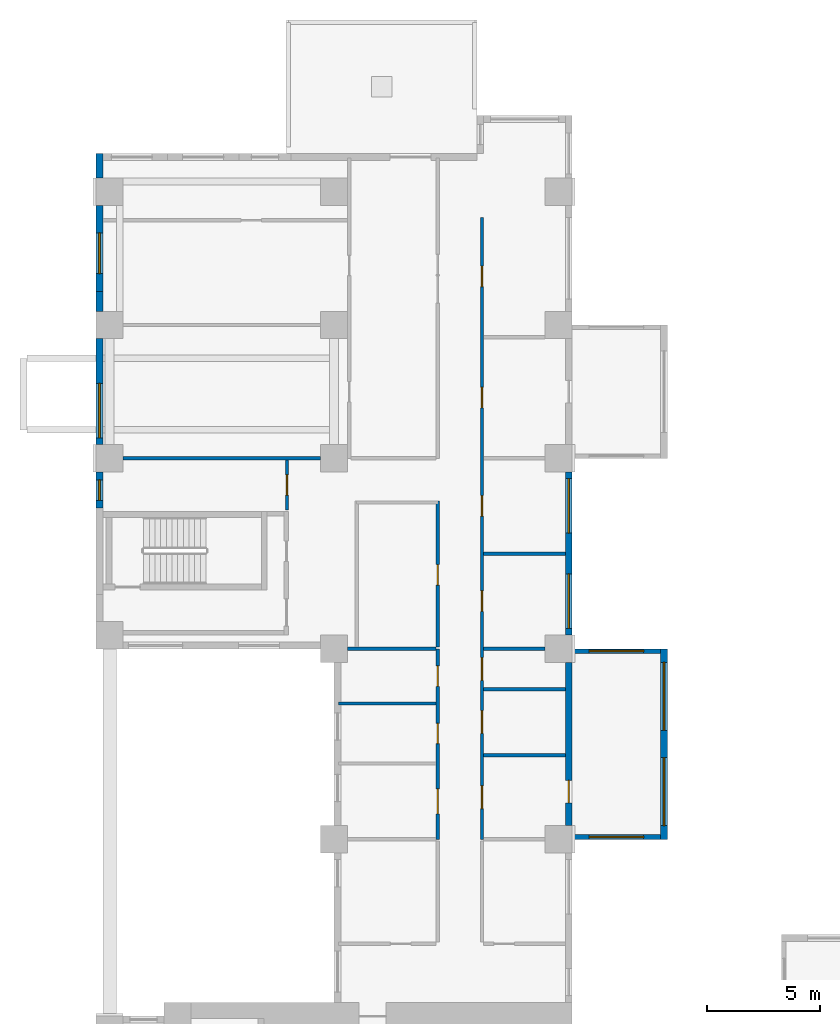
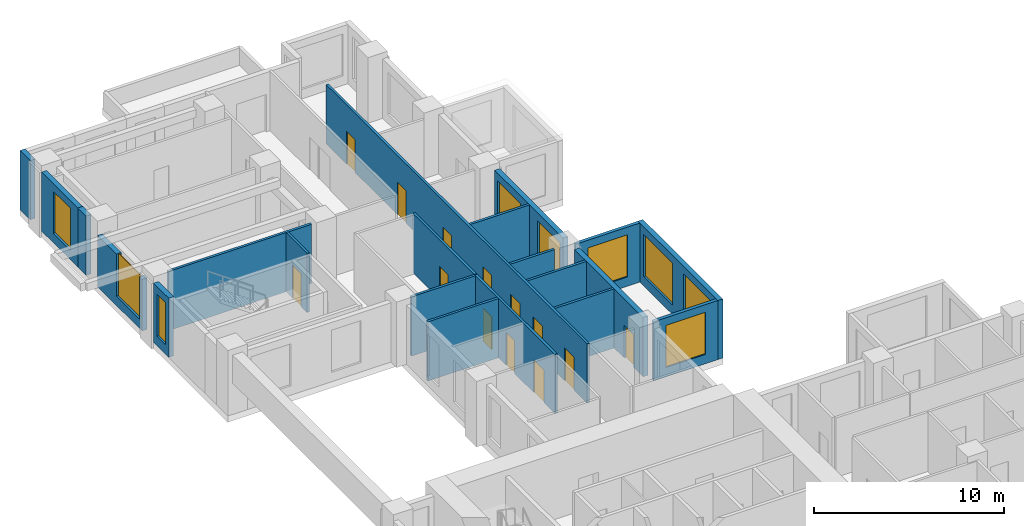
# One storey, part 7 of 14: 21 walls, 13 doors, 9 windows, 22 openings.
"""IFC4 building model written with IfcOpenShell, lengths in metres."""

from ifc_helpers import new_model, si_unit, direction, frame, frame_2d, origin, place, context, subcontext, project, spatial, rectangle, extrude, source, transform, mapped, material, layer, layer_set, type_object, element, fill, save


model = new_model("IFC4")

# Units and contexts
model_context = context("Model", 3, precision=1e-05, world=origin(), true_north=direction((0.0, 1.0)))
body_context = subcontext(model_context, "Body", "Model", "MODEL_VIEW")
ifc_project = project(units=[si_unit("LENGTHUNIT", "METRE"), si_unit("AREAUNIT", "SQUARE_METRE"), si_unit("VOLUMEUNIT", "CUBIC_METRE"), si_unit("PLANEANGLEUNIT", "RADIAN"), si_unit("MASSUNIT", "GRAM", prefix="KILO")], contexts=[model_context])

# Site, building, storey
site_placement = place(None, origin())
site = spatial("IfcSite", under=ifc_project, at=site_placement, CompositionType="ELEMENT")
building_placement = place(site_placement, origin())
building = spatial("IfcBuilding", under=site, at=building_placement, Name="Aurelian Terraces", CompositionType="ELEMENT")
storey_placement = place(building_placement, frame((0.0, 0.0, 78.3)))
storey = spatial("IfcBuildingStorey", under=building, at=storey_placement, Name="L16", CompositionType="ELEMENT", Elevation=78.3)

# Wall, openings, doors
ifc_material_1 = material(Name="Gypsum board on steel studs", Category="steel")
ifc_layer_1 = layer(ifc_material_1, 0.15)
ifc_layer_set_1 = layer_set([ifc_layer_1], Name="Fire partition 150")
wall_type_1 = type_object("IfcWallType", Name="Fire partition 150", PredefinedType="PARTITIONING", material=ifc_layer_set_1)
wall_1_placement = place(storey_placement, frame((17.025, 56.82, 0.0), z_axis=(0.0, 0.0, 1.0), x_axis=(0.0, -1.0, 0.0)))
wall_1 = element("IfcWall", 1, at=wall_1_placement, inside=storey, type_object=wall_type_1, Name="Corridor wall", PredefinedType="PARTITIONING", context=body_context, shape_type="SweptSolid", body=[
    extrude(rectangle(XDim=27.42, YDim=0.15, at=frame_2d((13.71, 0.0))), origin(), (0.0, 0.0, 1.0), 3.8),
])
shared_shape_1 = source(origin(), body_context, "Body", "SweptSolid", [
    extrude(rectangle(XDim=1.0, YDim=2.1, at=frame_2d((0.5, 1.05))), frame((0.0, 0.085, 0.0), z_axis=(0.0, -1.0, 0.0), x_axis=(1.0, 0.0, 0.0)), (0.0, 0.0, 1.0), 0.17),
])
opening_1_placement = place(wall_1_placement, frame((25.0633, 0.0, 0.0)))
opening_1 = element("IfcOpeningElement", 2, at=opening_1_placement, cuts=wall_1, Name="Opening 716040", PredefinedType="OPENING", context=body_context, shape_type="MappedRepresentation", body=[
    mapped(shared_shape_1, transform((0.0, 0.0, 0.0), scale=1.0)),
])
opening_2_placement = place(wall_1_placement, frame((21.7514, 0.0, 0.0)))
opening_2 = element("IfcOpeningElement", 3, at=opening_2_placement, cuts=wall_1, Name="Opening 716041", PredefinedType="OPENING", context=body_context, shape_type="MappedRepresentation", body=[
    mapped(shared_shape_1, transform((0.0, 0.0, 0.0), scale=1.0)),
])
opening_3_placement = place(wall_1_placement, frame((19.408, 0.0, 0.0)))
opening_3 = element("IfcOpeningElement", 4, at=opening_3_placement, cuts=wall_1, Name="Opening 716042", PredefinedType="OPENING", context=body_context, shape_type="MappedRepresentation", body=[
    mapped(shared_shape_1, transform((0.0, 0.0, 0.0), scale=1.0)),
])
shared_shape_2 = source(origin(), body_context, "Body", "SweptSolid", [
    extrude(rectangle(XDim=0.9, YDim=2.1, at=frame_2d((0.45, 1.05))), frame((0.0, 0.085, 0.0), z_axis=(0.0, -1.0, 0.0), x_axis=(1.0, 0.0, 0.0)), (0.0, 0.0, 1.0), 0.17),
])
opening_4_placement = place(wall_1_placement, frame((16.47, 0.0, 0.0)))
opening_4 = element("IfcOpeningElement", 5, at=opening_4_placement, cuts=wall_1, Name="Opening 716043", PredefinedType="OPENING", context=body_context, shape_type="MappedRepresentation", body=[
    mapped(shared_shape_2, transform((0.0, 0.0, 0.0), scale=1.0)),
])
opening_5_placement = place(wall_1_placement, frame((12.27, 0.0, 0.0)))
opening_5 = element("IfcOpeningElement", 6, at=opening_5_placement, cuts=wall_1, Name="Opening 716044", PredefinedType="OPENING", context=body_context, shape_type="MappedRepresentation", body=[
    mapped(shared_shape_2, transform((0.0, 0.0, 0.0), scale=1.0)),
])
opening_6_placement = place(wall_1_placement, frame((7.4962, 0.0, 0.0)))
opening_6 = element("IfcOpeningElement", 7, at=opening_6_placement, cuts=wall_1, Name="Opening 716045", PredefinedType="OPENING", context=body_context, shape_type="MappedRepresentation", body=[
    mapped(shared_shape_2, transform((0.0, 0.0, 0.0), scale=1.0)),
])
opening_7_placement = place(wall_1_placement, frame((2.1488, 0.0, 0.0)))
opening_7 = element("IfcOpeningElement", 8, at=opening_7_placement, cuts=wall_1, Name="Opening 716046", PredefinedType="OPENING", context=body_context, shape_type="MappedRepresentation", body=[
    mapped(shared_shape_2, transform((0.0, 0.0, 0.0), scale=1.0)),
])
ifc_material_2 = material(Name="Timber door leaf", Category="wood")
door_type_1 = type_object("IfcDoorType", Name="Room door 1000x2100 right", OperationType="SINGLE_SWING_RIGHT", PredefinedType="DOOR", material=ifc_material_2)
shared_shape_3 = source(origin(), body_context, "Body", "SweptSolid", [
    extrude(rectangle(XDim=1.0, YDim=2.1, at=frame_2d((0.5, 1.05))), frame((0.0, 0.025, 0.0), z_axis=(0.0, -1.0, 0.0), x_axis=(1.0, 0.0, 0.0)), (0.0, 0.0, 1.0), 0.05),
])
door_1_placement = place(opening_1_placement, origin())
door_1 = element("IfcDoor", 9, at=door_1_placement, inside=storey, type_object=door_type_1, Name="Door 716040", OperationType="SINGLE_SWING_RIGHT", OverallHeight=2.1, OverallWidth=1.0, PredefinedType="DOOR", context=body_context, shape_type="MappedRepresentation", body=[
    mapped(shared_shape_3, transform((0.0, 0.0, 0.0), scale=1.0)),
])
fill(opening_1, door_1)
door_type_2 = type_object("IfcDoorType", Name="Room door 1000x2100 left", OperationType="SINGLE_SWING_LEFT", PredefinedType="DOOR", material=ifc_material_2)
door_2_placement = place(opening_2_placement, origin())
door_2 = element("IfcDoor", 10, at=door_2_placement, inside=storey, type_object=door_type_2, Name="Door 716041", OperationType="SINGLE_SWING_LEFT", OverallHeight=2.1, OverallWidth=1.0, PredefinedType="DOOR", context=body_context, shape_type="MappedRepresentation", body=[
    mapped(shared_shape_3, transform((0.0, 0.0, 0.0), scale=1.0)),
])
fill(opening_2, door_2)
door_3_placement = place(opening_3_placement, origin())
door_3 = element("IfcDoor", 11, at=door_3_placement, inside=storey, type_object=door_type_1, Name="Door 716042", OperationType="SINGLE_SWING_RIGHT", OverallHeight=2.1, OverallWidth=1.0, PredefinedType="DOOR", context=body_context, shape_type="MappedRepresentation", body=[
    mapped(shared_shape_3, transform((0.0, 0.0, 0.0), scale=1.0)),
])
fill(opening_3, door_3)
door_type_3 = type_object("IfcDoorType", Name="Room door 900x2100 right", OperationType="SINGLE_SWING_RIGHT", PredefinedType="DOOR", material=ifc_material_2)
shared_shape_4 = source(origin(), body_context, "Body", "SweptSolid", [
    extrude(rectangle(XDim=0.9, YDim=2.1, at=frame_2d((0.45, 1.05))), frame((0.0, 0.025, 0.0), z_axis=(0.0, -1.0, 0.0), x_axis=(1.0, 0.0, 0.0)), (0.0, 0.0, 1.0), 0.05),
])
door_4_placement = place(opening_4_placement, origin())
door_4 = element("IfcDoor", 12, at=door_4_placement, inside=storey, type_object=door_type_3, Name="Door 716043", OperationType="SINGLE_SWING_RIGHT", OverallHeight=2.1, OverallWidth=0.9, PredefinedType="DOOR", context=body_context, shape_type="MappedRepresentation", body=[
    mapped(shared_shape_4, transform((0.0, 0.0, 0.0), scale=1.0)),
])
fill(opening_4, door_4)
door_type_4 = type_object("IfcDoorType", Name="Room door 900x2100 left", OperationType="SINGLE_SWING_LEFT", PredefinedType="DOOR", material=ifc_material_2)
door_5_placement = place(opening_5_placement, origin())
door_5 = element("IfcDoor", 13, at=door_5_placement, inside=storey, type_object=door_type_4, Name="Door 716044", OperationType="SINGLE_SWING_LEFT", OverallHeight=2.1, OverallWidth=0.9, PredefinedType="DOOR", context=body_context, shape_type="MappedRepresentation", body=[
    mapped(shared_shape_4, transform((0.0, 0.0, 0.0), scale=1.0)),
])
fill(opening_5, door_5)
door_6_placement = place(opening_6_placement, origin())
door_6 = element("IfcDoor", 14, at=door_6_placement, inside=storey, type_object=door_type_3, Name="Door 716045", OperationType="SINGLE_SWING_RIGHT", OverallHeight=2.1, OverallWidth=0.9, PredefinedType="DOOR", context=body_context, shape_type="MappedRepresentation", body=[
    mapped(shared_shape_4, transform((0.0, 0.0, 0.0), scale=1.0)),
])
fill(opening_6, door_6)
door_7_placement = place(opening_7_placement, origin())
door_7 = element("IfcDoor", 15, at=door_7_placement, inside=storey, type_object=door_type_4, Name="Door 716046", OperationType="SINGLE_SWING_LEFT", OverallHeight=2.1, OverallWidth=0.9, PredefinedType="DOOR", context=body_context, shape_type="MappedRepresentation", body=[
    mapped(shared_shape_4, transform((0.0, 0.0, 0.0), scale=1.0)),
])
fill(opening_7, door_7)

# Wall
ifc_material_3 = material(Name="Concrete fc' 40 MPa", Category="concrete")
ifc_layer_2 = layer(ifc_material_3, 0.3)
ifc_layer_set_2 = layer_set([ifc_layer_2], Name="STAIR BAY WALL 300")
wall_type_2 = type_object("IfcWallType", Name="STAIR BAY WALL 300", PredefinedType="SOLIDWALL", material=ifc_layer_set_2)
wall_2_placement = place(storey_placement, frame((0.15, 59.64, 0.0), z_axis=(0.0, 0.0, 1.0), x_axis=(0.0, -1.0, 0.0)))
element("IfcWall", 16, at=wall_2_placement, inside=storey, type_object=wall_type_2, Name="Bearing wall L16 F12.31", PredefinedType="SOLIDWALL", context=body_context, shape_type="SweptSolid", body=[
    extrude(rectangle(XDim=1.08, YDim=0.3, at=frame_2d((0.54, 0.0))), origin(), (0.0, 0.0, 1.0), 3.8),
])

# Wall, opening, door
ifc_material_4 = material(Name="Terracotta rainscreen cladding", Category="masonry")
ifc_layer_3 = layer(ifc_material_4, 0.3)
ifc_layer_set_3 = layer_set([ifc_layer_3], Name="EW-300")
wall_type_3 = type_object("IfcWallType", Name="EW-300", PredefinedType="STANDARD", material=ifc_layer_set_3)
shared_shape_5 = source(origin(), body_context, "Body", "SweptSolid", [
    extrude(rectangle(XDim=7.2, YDim=0.3, at=frame_2d((3.6, 0.0))), origin(), (0.0, 0.0, 1.0), 3.8),
])
wall_3_placement = place(storey_placement, frame((20.85, 30.0, 0.0), z_axis=(0.0, 0.0, 1.0), x_axis=(0.0, 1.0, 0.0)))
wall_3 = element("IfcWall", 17, at=wall_3_placement, inside=storey, type_object=wall_type_3, Name="External wall L16 F08.21", PredefinedType="STANDARD", context=body_context, shape_type="MappedRepresentation", body=[
    mapped(shared_shape_5, transform((0.0, 0.0, 0.0), scale=1.0)),
])
shared_shape_6 = source(origin(), body_context, "Body", "SweptSolid", [
    extrude(rectangle(XDim=1.0, YDim=2.1, at=frame_2d((0.5, 1.05))), frame((0.0, 0.16, 0.0), z_axis=(0.0, -1.0, 0.0), x_axis=(1.0, 0.0, 0.0)), (0.0, 0.0, 1.0), 0.32),
])
opening_8_placement = place(wall_3_placement, frame((1.0, 0.0, 0.0)))
opening_8 = element("IfcOpeningElement", 18, at=opening_8_placement, cuts=wall_3, Name="Opening 816006", PredefinedType="OPENING", context=body_context, shape_type="MappedRepresentation", body=[
    mapped(shared_shape_6, transform((0.0, 0.0, 0.0), scale=1.0)),
])
door_8_placement = place(opening_8_placement, origin())
door_8 = element("IfcDoor", 19, at=door_8_placement, inside=storey, type_object=door_type_2, Name="Door 816006", OperationType="SINGLE_SWING_LEFT", OverallHeight=2.1, OverallWidth=1.0, PredefinedType="DOOR", context=body_context, shape_type="MappedRepresentation", body=[
    mapped(shared_shape_3, transform((0.0, 0.0, 0.0), scale=1.0)),
])
fill(opening_8, door_8)

# Wall, openings, windows
wall_4_placement = place(storey_placement, frame((20.85, 38.4, 0.0), z_axis=(0.0, 0.0, 1.0), x_axis=(0.0, 1.0, 0.0)))
wall_4 = element("IfcWall", 20, at=wall_4_placement, inside=storey, type_object=wall_type_3, Name="External wall L16 F08.22", PredefinedType="STANDARD", context=body_context, shape_type="MappedRepresentation", body=[
    mapped(shared_shape_5, transform((0.0, 0.0, 0.0), scale=1.0)),
])
shared_shape_7 = source(origin(), body_context, "Body", "SweptSolid", [
    extrude(rectangle(XDim=2.4, YDim=2.7, at=frame_2d((1.2, 1.35))), frame((0.0, 0.16, 0.0), z_axis=(0.0, -1.0, 0.0), x_axis=(1.0, 0.0, 0.0)), (0.0, 0.0, 1.0), 0.32),
])
opening_9_placement = place(wall_4_placement, frame((0.3, 0.0, 0.6)))
opening_9 = element("IfcOpeningElement", 21, at=opening_9_placement, cuts=wall_4, Name="Opening W2427", PredefinedType="OPENING", context=body_context, shape_type="MappedRepresentation", body=[
    mapped(shared_shape_7, transform((0.0, 0.0, 0.0), scale=1.0)),
])
opening_10_placement = place(wall_4_placement, frame((4.5, 0.0, 0.6)))
opening_10 = element("IfcOpeningElement", 22, at=opening_10_placement, cuts=wall_4, Name="Opening W2427", PredefinedType="OPENING", context=body_context, shape_type="MappedRepresentation", body=[
    mapped(shared_shape_7, transform((0.0, 0.0, 0.0), scale=1.0)),
])
ifc_material_5 = material(Name="Clear glazing", Category="glass")
window_type_1 = type_object("IfcWindowType", Name="W-2400x2700", PartitioningType="SINGLE_PANEL", PredefinedType="WINDOW", material=ifc_material_5)
shared_shape_8 = source(origin(), body_context, "Body", "SweptSolid", [
    extrude(rectangle(XDim=2.4, YDim=2.7, at=frame_2d((1.2, 1.35))), frame((0.0, 0.03, 0.0), z_axis=(0.0, -1.0, 0.0), x_axis=(1.0, 0.0, 0.0)), (0.0, 0.0, 1.0), 0.06),
])
window_1_placement = place(opening_9_placement, origin())
window_1 = element("IfcWindow", 23, at=window_1_placement, inside=storey, type_object=window_type_1, Name="Window L16 L16-F08-22-0", OverallHeight=2.7, OverallWidth=2.4, PartitioningType="SINGLE_PANEL", PredefinedType="WINDOW", context=body_context, shape_type="MappedRepresentation", body=[
    mapped(shared_shape_8, transform((0.0, 0.0, 0.0), scale=1.0)),
])
fill(opening_9, window_1)
window_2_placement = place(opening_10_placement, origin())
window_2 = element("IfcWindow", 24, at=window_2_placement, inside=storey, type_object=window_type_1, Name="Window L16 L16-F08-22-1", OverallHeight=2.7, OverallWidth=2.4, PartitioningType="SINGLE_PANEL", PredefinedType="WINDOW", context=body_context, shape_type="MappedRepresentation", body=[
    mapped(shared_shape_8, transform((0.0, 0.0, 0.0), scale=1.0)),
])
fill(opening_10, window_2)

# Wall, opening, window
shared_shape_9 = source(origin(), body_context, "Body", "SweptSolid", [
    extrude(rectangle(XDim=4.68, YDim=0.3, at=frame_2d((2.34, 0.0))), origin(), (0.0, 0.0, 1.0), 3.3),
])
wall_5_placement = place(storey_placement, frame((0.15, 51.48, 0.0), z_axis=(0.0, 0.0, 1.0), x_axis=(0.0, -1.0, 0.0)))
wall_5 = element("IfcWall", 25, at=wall_5_placement, inside=storey, type_object=wall_type_3, Name="External wall L16 F12.31", PredefinedType="STANDARD", context=body_context, shape_type="MappedRepresentation", body=[
    mapped(shared_shape_9, transform((0.0, 0.0, 0.0), scale=1.0)),
])
opening_11_placement = place(wall_5_placement, frame((1.98, 0.0, 0.6)))
opening_11 = element("IfcOpeningElement", 26, at=opening_11_placement, cuts=wall_5, Name="Opening W2427", PredefinedType="OPENING", context=body_context, shape_type="MappedRepresentation", body=[
    mapped(shared_shape_7, transform((0.0, 0.0, 0.0), scale=1.0)),
])
window_3_placement = place(opening_11_placement, origin())
window_3 = element("IfcWindow", 27, at=window_3_placement, inside=storey, type_object=window_type_1, Name="Window L16 L16-F12-31-2", OverallHeight=2.7, OverallWidth=2.4, PartitioningType="SINGLE_PANEL", PredefinedType="WINDOW", context=body_context, shape_type="MappedRepresentation", body=[
    mapped(shared_shape_8, transform((0.0, 0.0, 0.0), scale=1.0)),
])
fill(opening_11, window_3)

shared_shape_10 = source(origin(), body_context, "Body", "SweptSolid", [
    extrude(rectangle(XDim=1.6, YDim=0.3, at=frame_2d((0.8, 0.0))), origin(), (0.0, 0.0, 1.0), 3.8),
])
wall_6_placement = place(storey_placement, frame((0.15, 45.6, 0.0), z_axis=(0.0, 0.0, 1.0), x_axis=(0.0, -1.0, 0.0)))
wall_6 = element("IfcWall", 28, at=wall_6_placement, inside=storey, type_object=wall_type_3, Name="External wall L16 F12.31", PredefinedType="STANDARD", context=body_context, shape_type="MappedRepresentation", body=[
    mapped(shared_shape_10, transform((0.0, 0.0, 0.0), scale=1.0)),
])
shared_shape_11 = source(origin(), body_context, "Body", "SweptSolid", [
    extrude(rectangle(XDim=0.9, YDim=2.7, at=frame_2d((0.45, 1.35))), frame((0.0, 0.16, 0.0), z_axis=(0.0, -1.0, 0.0), x_axis=(1.0, 0.0, 0.0)), (0.0, 0.0, 1.0), 0.32),
])
opening_12_placement = place(wall_6_placement, frame((0.35, 0.0, 0.6)))
opening_12 = element("IfcOpeningElement", 29, at=opening_12_placement, cuts=wall_6, Name="Opening W0927", PredefinedType="OPENING", context=body_context, shape_type="MappedRepresentation", body=[
    mapped(shared_shape_11, transform((0.0, 0.0, 0.0), scale=1.0)),
])
window_type_2 = type_object("IfcWindowType", Name="W-900x2700", PartitioningType="SINGLE_PANEL", PredefinedType="WINDOW", material=ifc_material_5)
shared_shape_12 = source(origin(), body_context, "Body", "SweptSolid", [
    extrude(rectangle(XDim=0.9, YDim=2.7, at=frame_2d((0.45, 1.35))), frame((0.0, 0.03, 0.0), z_axis=(0.0, -1.0, 0.0), x_axis=(1.0, 0.0, 0.0)), (0.0, 0.0, 1.0), 0.06),
])
window_4_placement = place(opening_12_placement, origin())
window_4 = element("IfcWindow", 30, at=window_4_placement, inside=storey, type_object=window_type_2, Name="Window L16 L16-F12-31-P4", OverallHeight=2.7, OverallWidth=0.9, PartitioningType="SINGLE_PANEL", PredefinedType="WINDOW", context=body_context, shape_type="MappedRepresentation", body=[
    mapped(shared_shape_12, transform((0.0, 0.0, 0.0), scale=1.0)),
])
fill(opening_12, window_4)

shared_shape_13 = source(origin(), body_context, "Body", "SweptSolid", [
    extrude(rectangle(XDim=3.8, YDim=0.3, at=frame_2d((1.9, 0.0))), origin(), (0.0, 0.0, 1.0), 3.8),
])
wall_7_placement = place(storey_placement, frame((0.15, 57.36, 0.0), z_axis=(0.0, 0.0, 1.0), x_axis=(0.0, -1.0, 0.0)))
wall_7 = element("IfcWall", 31, at=wall_7_placement, inside=storey, type_object=wall_type_2, Name="Bearing wall L16 F12.31", PredefinedType="SOLIDWALL", context=body_context, shape_type="MappedRepresentation", body=[
    mapped(shared_shape_13, transform((0.0, 0.0, 0.0), scale=1.0)),
])
shared_shape_14 = source(origin(), body_context, "Body", "SweptSolid", [
    extrude(rectangle(XDim=1.8, YDim=2.7, at=frame_2d((0.9, 1.35))), frame((0.0, 0.16, 0.0), z_axis=(0.0, -1.0, 0.0), x_axis=(1.0, 0.0, 0.0)), (0.0, 0.0, 1.0), 0.32),
])
opening_13_placement = place(wall_7_placement, frame((1.2175, 0.0, 0.6)))
opening_13 = element("IfcOpeningElement", 32, at=opening_13_placement, cuts=wall_7, Name="Opening W1827", PredefinedType="OPENING", context=body_context, shape_type="MappedRepresentation", body=[
    mapped(shared_shape_14, transform((0.0, 0.0, 0.0), scale=1.0)),
])
window_type_3 = type_object("IfcWindowType", Name="W-1800x2700", PartitioningType="SINGLE_PANEL", PredefinedType="WINDOW", material=ifc_material_5)
shared_shape_15 = source(origin(), body_context, "Body", "SweptSolid", [
    extrude(rectangle(XDim=1.8, YDim=2.7, at=frame_2d((0.9, 1.35))), frame((0.0, 0.03, 0.0), z_axis=(0.0, -1.0, 0.0), x_axis=(1.0, 0.0, 0.0)), (0.0, 0.0, 1.0), 0.06),
])
window_5_placement = place(opening_13_placement, origin())
window_5 = element("IfcWindow", 33, at=window_5_placement, inside=storey, type_object=window_type_3, Name="Window L16 L16-F12-31-P1", OverallHeight=2.7, OverallWidth=1.8, PartitioningType="SINGLE_PANEL", PredefinedType="WINDOW", context=body_context, shape_type="MappedRepresentation", body=[
    mapped(shared_shape_15, transform((0.0, 0.0, 0.0), scale=1.0)),
])
fill(opening_13, window_5)

ifc_layer_4 = layer(ifc_material_3, 0.2)
ifc_layer_set_4 = layer_set([ifc_layer_4], Name="BOX BEARING WALL 200")
wall_type_4 = type_object("IfcWallType", Name="BOX BEARING WALL 200", PredefinedType="SOLIDWALL", material=ifc_layer_set_4)
shared_shape_16 = source(origin(), body_context, "Body", "SweptSolid", [
    extrude(rectangle(XDim=3.9, YDim=0.2, at=frame_2d((1.95, 0.0))), origin(), (0.0, 0.0, 1.0), 3.79),
])
wall_8_placement = place(storey_placement, frame((21.0, 29.5, 0.0), z_axis=(0.0, 0.0, 1.0), x_axis=(1.0, 0.0, 0.0)))
wall_8 = element("IfcWall", 34, at=wall_8_placement, inside=storey, type_object=wall_type_4, Name="Box return L16 J21.1", PredefinedType="SOLIDWALL", context=body_context, shape_type="MappedRepresentation", body=[
    mapped(shared_shape_16, transform((0.0, 0.0, 0.0), scale=1.0)),
])
shared_shape_17 = source(origin(), body_context, "Body", "SweptSolid", [
    extrude(rectangle(XDim=2.4, YDim=2.7, at=frame_2d((1.2, 1.35))), frame((0.0, 0.11, 0.0), z_axis=(0.0, -1.0, 0.0), x_axis=(1.0, 0.0, 0.0)), (0.0, 0.0, 1.0), 0.22),
])
opening_14_placement = place(wall_8_placement, frame((0.75, 0.0, 0.6)))
opening_14 = element("IfcOpeningElement", 35, at=opening_14_placement, cuts=wall_8, Name="Opening W2427", PredefinedType="OPENING", context=body_context, shape_type="MappedRepresentation", body=[
    mapped(shared_shape_17, transform((0.0, 0.0, 0.0), scale=1.0)),
])
window_6_placement = place(opening_14_placement, origin())
window_6 = element("IfcWindow", 36, at=window_6_placement, inside=storey, type_object=window_type_1, Name="Window L16 J21-S1", OverallHeight=2.7, OverallWidth=2.4, PartitioningType="SINGLE_PANEL", PredefinedType="WINDOW", context=body_context, shape_type="MappedRepresentation", body=[
    mapped(shared_shape_8, transform((0.0, 0.0, 0.0), scale=1.0)),
])
fill(opening_14, window_6)

wall_9_placement = place(storey_placement, frame((21.0, 37.7, 0.0), z_axis=(0.0, 0.0, 1.0), x_axis=(1.0, 0.0, 0.0)))
wall_9 = element("IfcWall", 37, at=wall_9_placement, inside=storey, type_object=wall_type_4, Name="Box return L16 J21.2", PredefinedType="SOLIDWALL", context=body_context, shape_type="MappedRepresentation", body=[
    mapped(shared_shape_16, transform((0.0, 0.0, 0.0), scale=1.0)),
])
opening_15_placement = place(wall_9_placement, frame((0.75, 0.0, 0.6)))
opening_15 = element("IfcOpeningElement", 38, at=opening_15_placement, cuts=wall_9, Name="Opening W2427", PredefinedType="OPENING", context=body_context, shape_type="MappedRepresentation", body=[
    mapped(shared_shape_17, transform((0.0, 0.0, 0.0), scale=1.0)),
])
window_7_placement = place(opening_15_placement, origin())
window_7 = element("IfcWindow", 39, at=window_7_placement, inside=storey, type_object=window_type_1, Name="Window L16 J21-S2", OverallHeight=2.7, OverallWidth=2.4, PartitioningType="SINGLE_PANEL", PredefinedType="WINDOW", context=body_context, shape_type="MappedRepresentation", body=[
    mapped(shared_shape_8, transform((0.0, 0.0, 0.0), scale=1.0)),
])
fill(opening_15, window_7)

# Wall
shared_shape_18 = source(origin(), body_context, "Body", "SweptSolid", [
    extrude(rectangle(XDim=0.88, YDim=0.3, at=frame_2d((0.44, 0.0))), origin(), (0.0, 0.0, 1.0), 3.8),
])
wall_10_placement = place(storey_placement, frame((0.15, 53.56, 0.0), z_axis=(0.0, 0.0, 1.0), x_axis=(0.0, -1.0, 0.0)))
element("IfcWall", 40, at=wall_10_placement, inside=storey, type_object=wall_type_3, Name="External wall L16 F12.31", PredefinedType="STANDARD", context=body_context, shape_type="MappedRepresentation", body=[
    mapped(shared_shape_18, transform((0.0, 0.0, 0.0), scale=1.0)),
])

# Wall, openings, windows
ifc_layer_5 = layer(ifc_material_3, 0.3)
ifc_layer_set_5 = layer_set([ifc_layer_5], Name="BOX BEARING WALL 300")
wall_type_5 = type_object("IfcWallType", Name="BOX BEARING WALL 300", PredefinedType="SOLIDWALL", material=ifc_layer_set_5)
shared_shape_19 = source(origin(), body_context, "Body", "SweptSolid", [
    extrude(rectangle(XDim=8.4, YDim=0.3, at=frame_2d((4.2, 0.0))), origin(), (0.0, 0.0, 1.0), 3.79),
])
wall_11_placement = place(storey_placement, frame((25.05, 29.4, 0.0), z_axis=(0.0, 0.0, 1.0), x_axis=(0.0, 1.0, 0.0)))
wall_11 = element("IfcWall", 41, at=wall_11_placement, inside=storey, type_object=wall_type_5, Name="Box wall L16 J21", PredefinedType="SOLIDWALL", context=body_context, shape_type="MappedRepresentation", body=[
    mapped(shared_shape_19, transform((0.0, 0.0, 0.0), scale=1.0)),
])
shared_shape_20 = source(origin(), body_context, "Body", "SweptSolid", [
    extrude(rectangle(XDim=3.0, YDim=2.7, at=frame_2d((1.5, 1.35))), frame((0.0, 0.16, 0.0), z_axis=(0.0, -1.0, 0.0), x_axis=(1.0, 0.0, 0.0)), (0.0, 0.0, 1.0), 0.32),
])
opening_16_placement = place(wall_11_placement, frame((0.6, 0.0, 0.6)))
opening_16 = element("IfcOpeningElement", 42, at=opening_16_placement, cuts=wall_11, Name="Opening W3027", PredefinedType="OPENING", context=body_context, shape_type="MappedRepresentation", body=[
    mapped(shared_shape_20, transform((0.0, 0.0, 0.0), scale=1.0)),
])
opening_17_placement = place(wall_11_placement, frame((4.8, 0.0, 0.6)))
opening_17 = element("IfcOpeningElement", 43, at=opening_17_placement, cuts=wall_11, Name="Opening W3027", PredefinedType="OPENING", context=body_context, shape_type="MappedRepresentation", body=[
    mapped(shared_shape_20, transform((0.0, 0.0, 0.0), scale=1.0)),
])
window_type_4 = type_object("IfcWindowType", Name="W-3000x2700", PartitioningType="SINGLE_PANEL", PredefinedType="WINDOW", material=ifc_material_5)
shared_shape_21 = source(origin(), body_context, "Body", "SweptSolid", [
    extrude(rectangle(XDim=3.0, YDim=2.7, at=frame_2d((1.5, 1.35))), frame((0.0, 0.03, 0.0), z_axis=(0.0, -1.0, 0.0), x_axis=(1.0, 0.0, 0.0)), (0.0, 0.0, 1.0), 0.06),
])
window_8_placement = place(opening_16_placement, origin())
window_8 = element("IfcWindow", 44, at=window_8_placement, inside=storey, type_object=window_type_4, Name="Window L16 J21-F1", OverallHeight=2.7, OverallWidth=3.0, PartitioningType="SINGLE_PANEL", PredefinedType="WINDOW", context=body_context, shape_type="MappedRepresentation", body=[
    mapped(shared_shape_21, transform((0.0, 0.0, 0.0), scale=1.0)),
])
fill(opening_16, window_8)
window_9_placement = place(opening_17_placement, origin())
window_9 = element("IfcWindow", 45, at=window_9_placement, inside=storey, type_object=window_type_4, Name="Window L16 J21-F2", OverallHeight=2.7, OverallWidth=3.0, PartitioningType="SINGLE_PANEL", PredefinedType="WINDOW", context=body_context, shape_type="MappedRepresentation", body=[
    mapped(shared_shape_21, transform((0.0, 0.0, 0.0), scale=1.0)),
])
fill(opening_17, window_9)

# Wall, opening, door
shared_shape_22 = source(origin(), body_context, "Body", "SweptSolid", [
    extrude(rectangle(XDim=6.45, YDim=0.15, at=frame_2d((3.225, 0.0))), origin(), (0.0, 0.0, 1.0), 3.8),
])
wall_12_placement = place(storey_placement, frame((15.075, 37.875, 0.0), z_axis=(0.0, 0.0, 1.0), x_axis=(0.0, 1.0, 0.0)))
wall_12 = element("IfcWall", 46, at=wall_12_placement, inside=storey, type_object=wall_type_1, Name="Corridor wall", PredefinedType="PARTITIONING", context=body_context, shape_type="MappedRepresentation", body=[
    mapped(shared_shape_22, transform((0.0, 0.0, 0.0), scale=1.0)),
])
opening_18_placement = place(wall_12_placement, frame((2.7375, 0.0, 0.0)))
opening_18 = element("IfcOpeningElement", 47, at=opening_18_placement, cuts=wall_12, Name="Opening 716031", PredefinedType="OPENING", context=body_context, shape_type="MappedRepresentation", body=[
    mapped(shared_shape_2, transform((0.0, 0.0, 0.0), scale=1.0)),
])
door_9_placement = place(opening_18_placement, origin())
door_9 = element("IfcDoor", 48, at=door_9_placement, inside=storey, type_object=door_type_4, Name="Door 716031", OperationType="SINGLE_SWING_LEFT", OverallHeight=2.1, OverallWidth=0.9, PredefinedType="DOOR", context=body_context, shape_type="MappedRepresentation", body=[
    mapped(shared_shape_4, transform((0.0, 0.0, 0.0), scale=1.0)),
])
fill(opening_18, door_9)

# Walls
ifc_layer_6 = layer(ifc_material_1, 0.15)
ifc_layer_set_6 = layer_set([ifc_layer_6], Name="Partition 150")
wall_type_6 = type_object("IfcWallType", Name="Partition 150", PredefinedType="PARTITIONING", material=ifc_layer_set_6)
shared_shape_23 = source(origin(), body_context, "Body", "SweptSolid", [
    extrude(rectangle(XDim=8.702, YDim=0.15, at=frame_2d((4.351, 0.0))), origin(), (0.0, 0.0, 1.0), 3.8),
])
wall_13_placement = place(storey_placement, frame((9.901, 46.2, 0.0), z_axis=(0.0, 0.0, 1.0), x_axis=(-1.0, 0.0, 0.0)))
element("IfcWall", 49, at=wall_13_placement, inside=storey, type_object=wall_type_6, Name="Partition", PredefinedType="PARTITIONING", context=body_context, shape_type="MappedRepresentation", body=[
    mapped(shared_shape_23, transform((0.0, 0.0, 0.0), scale=1.0)),
])
shared_shape_24 = source(origin(), body_context, "Body", "SweptSolid", [
    extrude(rectangle(XDim=3.6, YDim=0.15, at=frame_2d((1.8, 0.0))), origin(), (0.0, 0.0, 1.0), 3.8),
])
for number, where, z_axis, x_axis, name in (
    (50, (17.1, 33.1133, 0.0), (0.0, 0.0, 1.0), (1.0, 0.0, 0.0), "Partition"),
    (51, (17.1, 36.024, 0.0), (0.0, 0.0, 1.0), (1.0, 0.0, 0.0), "Partition"),
    (52, (17.1, 42.0, 0.0), (0.0, 0.0, 1.0), (1.0, 0.0, 0.0), "Partition"),
):
    element("IfcWall", number, at=place(storey_placement, frame(where, z_axis=z_axis, x_axis=x_axis)), inside=storey, type_object=wall_type_6, Name=name, PredefinedType="PARTITIONING", context=body_context, shape_type="MappedRepresentation", body=[
        mapped(shared_shape_24, transform((0.0, 0.0, 0.0), scale=1.0)),
    ])
shared_shape_25 = source(origin(), body_context, "Body", "SweptSolid", [
    extrude(rectangle(XDim=2.701, YDim=0.15, at=frame_2d((1.3505, 0.0))), origin(), (0.0, 0.0, 1.0), 3.8),
])
wall_14_placement = place(storey_placement, frame((19.801, 37.8, 0.0), z_axis=(0.0, 0.0, 1.0), x_axis=(-1.0, 0.0, 0.0)))
element("IfcWall", 53, at=wall_14_placement, inside=storey, type_object=wall_type_6, Name="Partition", PredefinedType="PARTITIONING", context=body_context, shape_type="MappedRepresentation", body=[
    mapped(shared_shape_25, transform((0.0, 0.0, 0.0), scale=1.0)),
])

# Wall, openings, doors
shared_shape_26 = source(origin(), body_context, "Body", "SweptSolid", [
    extrude(rectangle(XDim=8.4, YDim=0.15, at=frame_2d((4.2, 0.0))), origin(), (0.0, 0.0, 1.0), 3.8),
])
wall_15_placement = place(storey_placement, frame((15.075, 29.4, 0.0), z_axis=(0.0, 0.0, 1.0), x_axis=(0.0, 1.0, 0.0)))
wall_15 = element("IfcWall", 54, at=wall_15_placement, inside=storey, type_object=wall_type_1, Name="Corridor wall", PredefinedType="PARTITIONING", context=body_context, shape_type="MappedRepresentation", body=[
    mapped(shared_shape_26, transform((0.0, 0.0, 0.0), scale=1.0)),
])
shared_shape_27 = source(origin(), body_context, "Body", "SweptSolid", [
    extrude(rectangle(XDim=1.1, YDim=2.1, at=frame_2d((0.55, 1.05))), frame((0.0, 0.085, 0.0), z_axis=(0.0, -1.0, 0.0), x_axis=(1.0, 0.0, 0.0)), (0.0, 0.0, 1.0), 0.17),
])
opening_19_placement = place(wall_15_placement, frame((1.1203, 0.0, 0.0)))
opening_19 = element("IfcOpeningElement", 55, at=opening_19_placement, cuts=wall_15, Name="Opening 716033", PredefinedType="OPENING", context=body_context, shape_type="MappedRepresentation", body=[
    mapped(shared_shape_27, transform((0.0, 0.0, 0.0), scale=1.0)),
])
opening_20_placement = place(wall_15_placement, frame((4.2141, 0.0, 0.0)))
opening_20 = element("IfcOpeningElement", 56, at=opening_20_placement, cuts=wall_15, Name="Opening 716034", PredefinedType="OPENING", context=body_context, shape_type="MappedRepresentation", body=[
    mapped(shared_shape_2, transform((0.0, 0.0, 0.0), scale=1.0)),
])
opening_21_placement = place(wall_15_placement, frame((6.7438, 0.0, 0.0)))
opening_21 = element("IfcOpeningElement", 57, at=opening_21_placement, cuts=wall_15, Name="Opening 716035", PredefinedType="OPENING", context=body_context, shape_type="MappedRepresentation", body=[
    mapped(shared_shape_2, transform((0.0, 0.0, 0.0), scale=1.0)),
])
door_10_placement = place(opening_20_placement, origin())
door_10 = element("IfcDoor", 58, at=door_10_placement, inside=storey, type_object=door_type_3, Name="Door 716034", OperationType="SINGLE_SWING_RIGHT", OverallHeight=2.1, OverallWidth=0.9, PredefinedType="DOOR", context=body_context, shape_type="MappedRepresentation", body=[
    mapped(shared_shape_4, transform((0.0, 0.0, 0.0), scale=1.0)),
])
fill(opening_20, door_10)
door_11_placement = place(opening_21_placement, origin())
door_11 = element("IfcDoor", 59, at=door_11_placement, inside=storey, type_object=door_type_4, Name="Door 716035", OperationType="SINGLE_SWING_LEFT", OverallHeight=2.1, OverallWidth=0.9, PredefinedType="DOOR", context=body_context, shape_type="MappedRepresentation", body=[
    mapped(shared_shape_4, transform((0.0, 0.0, 0.0), scale=1.0)),
])
fill(opening_21, door_11)
door_type_5 = type_object("IfcDoorType", Name="Room door 1100x2100 right", OperationType="SINGLE_SWING_RIGHT", PredefinedType="DOOR", material=ifc_material_2)
shared_shape_28 = source(origin(), body_context, "Body", "SweptSolid", [
    extrude(rectangle(XDim=1.1, YDim=2.1, at=frame_2d((0.55, 1.05))), frame((0.0, 0.025, 0.0), z_axis=(0.0, -1.0, 0.0), x_axis=(1.0, 0.0, 0.0)), (0.0, 0.0, 1.0), 0.05),
])
door_12_placement = place(opening_19_placement, origin())
door_12 = element("IfcDoor", 60, at=door_12_placement, inside=storey, type_object=door_type_5, Name="Door 716033", OperationType="SINGLE_SWING_RIGHT", OverallHeight=2.1, OverallWidth=1.1, PredefinedType="DOOR", context=body_context, shape_type="MappedRepresentation", body=[
    mapped(shared_shape_28, transform((0.0, 0.0, 0.0), scale=1.0)),
])
fill(opening_19, door_12)

# Wall
shared_shape_29 = source(origin(), body_context, "Body", "SweptSolid", [
    extrude(rectangle(XDim=3.901, YDim=0.15, at=frame_2d((1.9505, 0.0))), origin(), (0.0, 0.0, 1.0), 3.8),
])
wall_16_placement = place(storey_placement, frame((15.0, 37.8, 0.0), z_axis=(0.0, 0.0, 1.0), x_axis=(-1.0, 0.0, 0.0)))
element("IfcWall", 61, at=wall_16_placement, inside=storey, type_object=wall_type_6, Name="Partition", PredefinedType="PARTITIONING", context=body_context, shape_type="MappedRepresentation", body=[
    mapped(shared_shape_29, transform((0.0, 0.0, 0.0), scale=1.0)),
])

# Wall, opening, door
shared_shape_30 = source(origin(), body_context, "Body", "SweptSolid", [
    extrude(rectangle(XDim=2.2, YDim=0.15, at=frame_2d((1.1, 0.0))), origin(), (0.0, 0.0, 1.0), 3.8),
])
wall_17_placement = place(storey_placement, frame((8.425, 43.925, 0.0), z_axis=(0.0, 0.0, 1.0), x_axis=(0.0, 1.0, 0.0)))
wall_17 = element("IfcWall", 62, at=wall_17_placement, inside=storey, type_object=wall_type_6, Name="Partition", PredefinedType="PARTITIONING", context=body_context, shape_type="MappedRepresentation", body=[
    mapped(shared_shape_30, transform((0.0, 0.0, 0.0), scale=1.0)),
])
opening_22_placement = place(wall_17_placement, frame((0.65, 0.0, 0.0)))
opening_22 = element("IfcOpeningElement", 63, at=opening_22_placement, cuts=wall_17, Name="Opening 716032", PredefinedType="OPENING", context=body_context, shape_type="MappedRepresentation", body=[
    mapped(shared_shape_2, transform((0.0, 0.0, 0.0), scale=1.0)),
])
door_13_placement = place(opening_22_placement, origin())
door_13 = element("IfcDoor", 64, at=door_13_placement, inside=storey, type_object=door_type_4, Name="Door 716032", OperationType="SINGLE_SWING_LEFT", OverallHeight=2.1, OverallWidth=0.9, PredefinedType="DOOR", context=body_context, shape_type="MappedRepresentation", body=[
    mapped(shared_shape_4, transform((0.0, 0.0, 0.0), scale=1.0)),
])
fill(opening_22, door_13)

# Wall
shared_shape_31 = source(origin(), body_context, "Body", "SweptSolid", [
    extrude(rectangle(XDim=4.295, YDim=0.15, at=frame_2d((2.1475, 0.0))), origin(), (0.0, 0.0, 1.0), 3.8),
])
wall_18_placement = place(storey_placement, frame((15.0, 35.3877, 0.0), z_axis=(0.0, 0.0, 1.0), x_axis=(-1.0, 0.0, 0.0)))
element("IfcWall", 65, at=wall_18_placement, inside=storey, type_object=wall_type_6, Name="Partition", PredefinedType="PARTITIONING", context=body_context, shape_type="MappedRepresentation", body=[
    mapped(shared_shape_31, transform((0.0, 0.0, 0.0), scale=1.0)),
])

save(model, "model.ifc")
